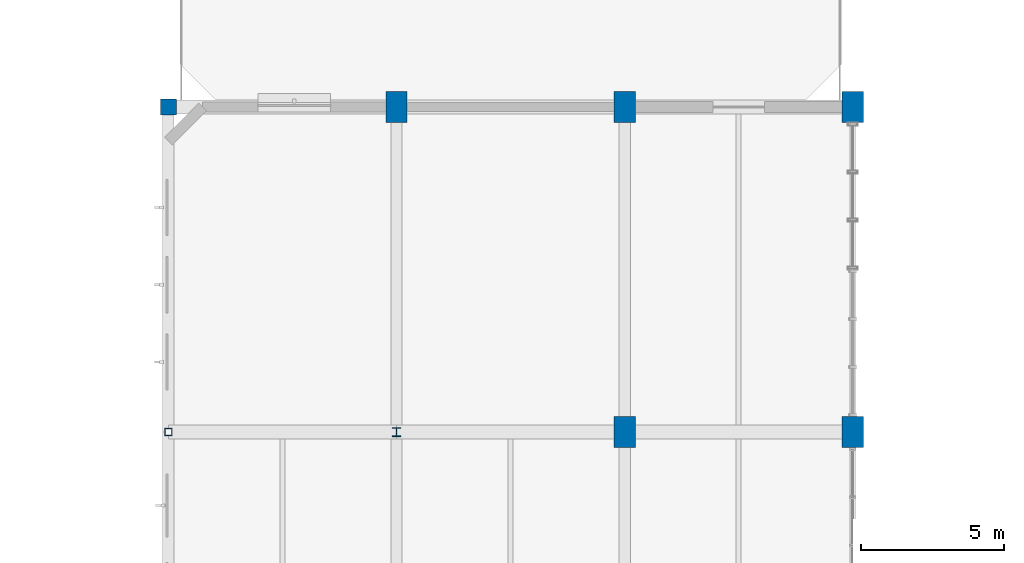
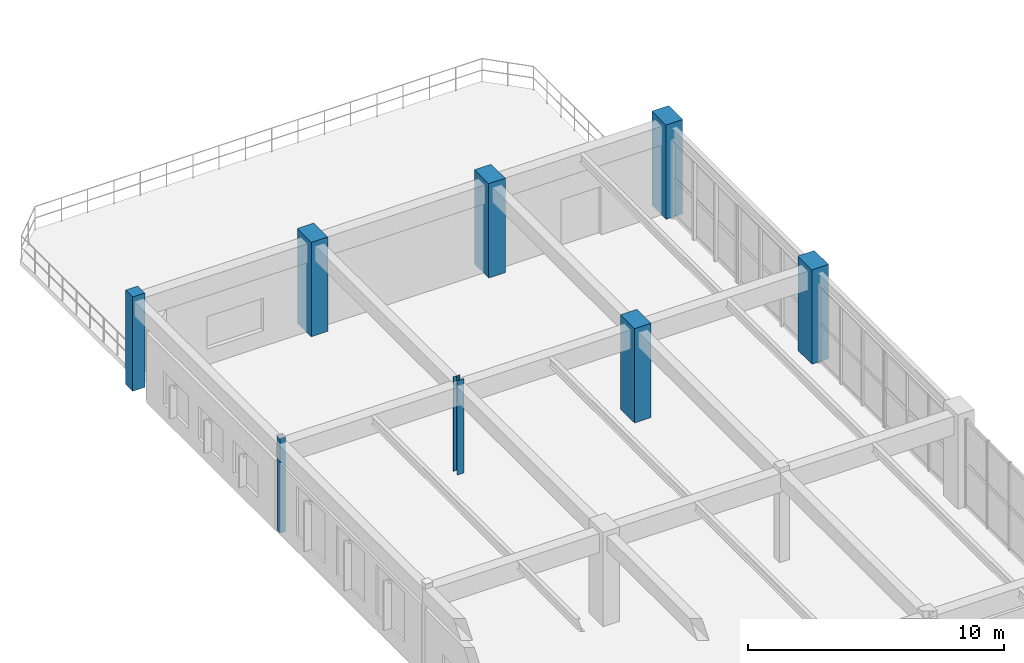
# One storey, part 8 of 80: 8 columns.
"""IFC4 building model written with IfcOpenShell, lengths in metres."""

from ifc_helpers import new_model, si_unit, direction, frame, origin, origin_2d, place, context, subcontext, project, spatial, rectangle, hollow_rectangle, i_section, extrude, material, material_profile, profile_set, type_object, element, save


model = new_model("IFC4")

# Units and contexts
model_context = context("Model", 3, precision=1e-05, world=origin(), true_north=direction((0.0, 1.0)))
body_context = subcontext(model_context, "Body", "Model", "MODEL_VIEW")
ifc_project = project(units=[si_unit("LENGTHUNIT", "METRE"), si_unit("AREAUNIT", "SQUARE_METRE"), si_unit("VOLUMEUNIT", "CUBIC_METRE"), si_unit("PLANEANGLEUNIT", "RADIAN"), si_unit("MASSUNIT", "GRAM", prefix="KILO"), si_unit("POWERUNIT", "WATT"), si_unit("THERMODYNAMICTEMPERATUREUNIT", "KELVIN")], contexts=[model_context])

# Site, building, storey
site_placement = place(None, origin())
site = spatial("IfcSite", under=ifc_project, at=site_placement, CompositionType="ELEMENT")
building_placement = place(site_placement, origin())
building = spatial("IfcBuilding", under=site, at=building_placement, Name="Kelmbourne Parkland Aquatics Centre", CompositionType="ELEMENT")
storey_placement = place(building_placement, frame((0.0, 0.0, 10.199951171875)))
storey = spatial("IfcBuildingStorey", under=building, at=storey_placement, Name="L02", CompositionType="ELEMENT", Elevation=10.199951171875)

# Columns
ifc_material_1 = material(Name="Concrete C40/50", Category="concrete")
ifc_material_profile_1 = material_profile(ifc_material_1, rectangle(XDim=0.75, YDim=1.10009765625, at=origin_2d()), Name="RC 750x1100")
ifc_profile_set_1 = profile_set([ifc_material_profile_1], Name="Concrete C40/50")
column_type_1 = type_object("IfcColumnType", Name="COL-C03", PredefinedType="COLUMN", material=ifc_profile_set_1)
for number, where, z_axis, x_axis, name in (
    (1, (24.0, 80.60009765625, 0.0), (0.0, 0.0, 1.0), (1.0, 0.0, 0.0), "Structural column D-11 (L02)"),
    (2, (32.0, 69.199951171875, 0.0), (0.0, 0.0, 1.0), (1.0, 0.0, 0.0), "Structural column E-10 (L02)"),
    (3, (32.0, 80.60009765625, 0.0), (0.0, 0.0, 1.0), (1.0, 0.0, 0.0), "Structural column E-11 (L02)"),
    (4, (40.0, 69.199951171875, 0.0), (0.0, 0.0, 1.0), (1.0, 0.0, 0.0), "Structural column F-10 (L02)"),
    (5, (40.0, 80.60009765625, 0.0), (0.0, 0.0, 1.0), (1.0, 0.0, 0.0), "Structural column F-11 (L02)"),
):
    element("IfcColumn", number, at=place(storey_placement, frame(where, z_axis=z_axis, x_axis=x_axis)), inside=storey, type_object=column_type_1, Name=name, PredefinedType="COLUMN", context=body_context, shape_type="SweptSolid", body=[
        extrude(rectangle(XDim=0.75, YDim=1.10009765625, at=origin_2d()), origin(), (0.0, 0.0, 1.0), 4.5),
    ])
ifc_material_profile_2 = material_profile(ifc_material_1, rectangle(XDim=0.550048828125, YDim=0.550048828125, at=origin_2d()), Name="RC 550x550")
ifc_profile_set_2 = profile_set([ifc_material_profile_2], Name="Concrete C40/50")
column_type_2 = type_object("IfcColumnType", Name="COL-C07", PredefinedType="COLUMN", material=ifc_profile_set_2)
column_1_placement = place(storey_placement, frame((16.0, 80.60009765625, 0.0), z_axis=(0.0, 0.0, 1.0), x_axis=(1.0, 0.0, 0.0)))
element("IfcColumn", 6, at=column_1_placement, inside=storey, type_object=column_type_2, Name="Structural column C-11 (L02)", PredefinedType="COLUMN", context=body_context, shape_type="SweptSolid", body=[
    extrude(rectangle(XDim=0.550048828125, YDim=0.550048828125, at=origin_2d()), origin(), (0.0, 0.0, 1.0), 4.5),
])
ifc_material_2 = material(Name="Structural steel AS/NZS 3679.1 Grade 300", Category="steel")
ifc_material_profile_3 = material_profile(ifc_material_2, i_section(OverallWidth=0.306884765625, OverallDepth=0.31494140625, WebThickness=0.011962890625, FlangeThickness=0.018798828125, at=origin_2d()), Name="310UC118")
ifc_profile_set_3 = profile_set([ifc_material_profile_3], Name="Structural steel AS/NZS 3679.1 Grade 300")
column_type_3 = type_object("IfcColumnType", Name="COL-C16", PredefinedType="COLUMN", material=ifc_profile_set_3)
column_2_placement = place(storey_placement, frame((24.0, 69.199951171875, 0.0), z_axis=(0.0, 0.0, 1.0), x_axis=(1.0, 0.0, 0.0)))
element("IfcColumn", 7, at=column_2_placement, inside=storey, type_object=column_type_3, Name="Structural column D-10 (L02)", PredefinedType="COLUMN", context=body_context, shape_type="SweptSolid", body=[
    extrude(i_section(OverallWidth=0.306884765625, OverallDepth=0.31494140625, WebThickness=0.011962890625, FlangeThickness=0.018798828125, at=origin_2d()), origin(), (0.0, 0.0, 1.0), 4.5),
])
ifc_material_3 = material(Name="Cold-formed hollow steel AS/NZS 1163 C350L0", Category="steel")
ifc_material_profile_4 = material_profile(ifc_material_3, hollow_rectangle(XDim=0.25, YDim=0.25, WallThickness=0.012451171875, at=origin_2d()), Name="SHS 250x250x12.5")
ifc_profile_set_4 = profile_set([ifc_material_profile_4], Name="Cold-formed hollow steel AS/NZS 1163 C350L0")
column_type_4 = type_object("IfcColumnType", Name="COL-C23", PredefinedType="COLUMN", material=ifc_profile_set_4)
column_3_placement = place(storey_placement, frame((16.0, 69.199951171875, 0.0), z_axis=(0.0, 0.0, 1.0), x_axis=(1.0, 0.0, 0.0)))
element("IfcColumn", 8, at=column_3_placement, inside=storey, type_object=column_type_4, Name="Structural column C-10 (L02)", PredefinedType="COLUMN", context=body_context, shape_type="SweptSolid", body=[
    extrude(hollow_rectangle(XDim=0.25, YDim=0.25, WallThickness=0.012451171875, at=origin_2d()), origin(), (0.0, 0.0, 1.0), 4.5),
])

save(model, "model.ifc")
